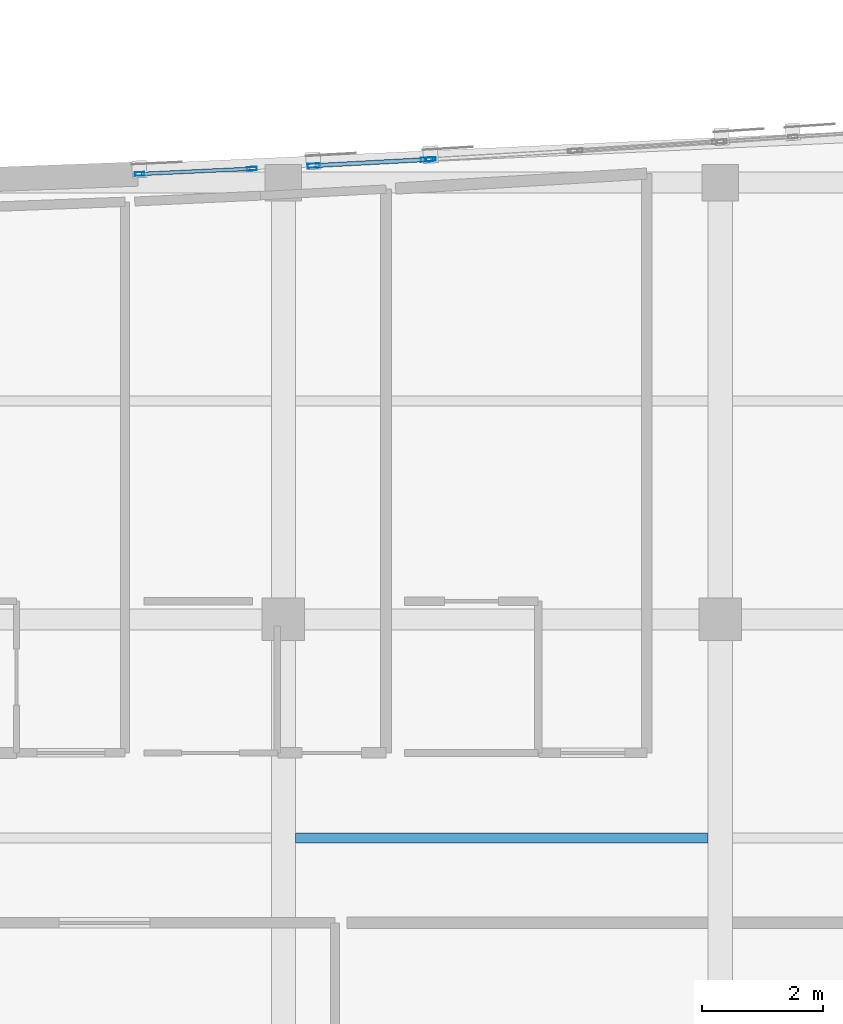
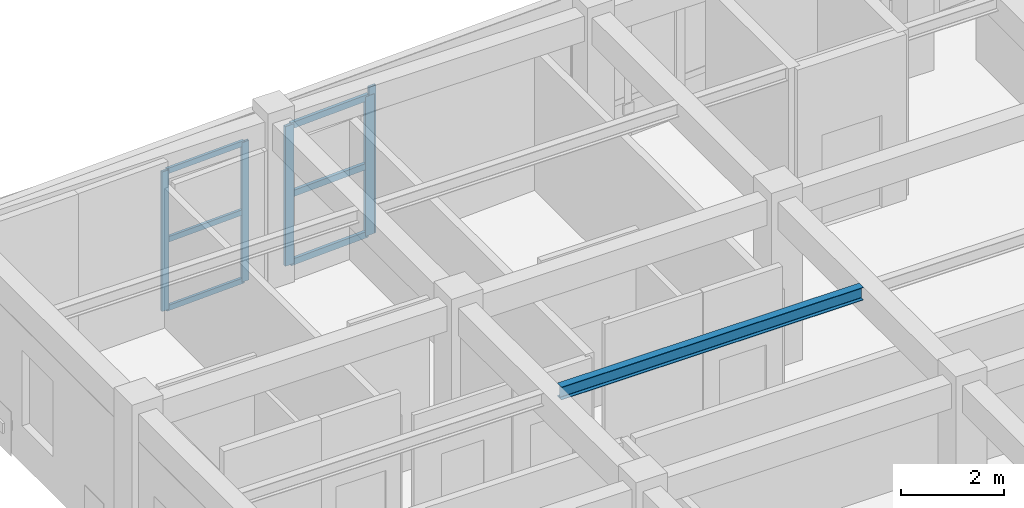
# One storey, part 34 of 113: 11 members, 1 beam, 3 elements without a shape of their own.
"""IFC4 building model written with IfcOpenShell, lengths in metres."""

from ifc_helpers import new_model, si_unit, direction, frame, origin, origin_2d, place, context, subcontext, project, spatial, hollow_rectangle, i_section, extrude, material, layer, layer_set, material_profile, profile_set, type_object, element, aggregate, save


model = new_model("IFC4")

# Units and contexts
model_context = context("Model", 3, precision=1e-05, world=origin(), true_north=direction((0.0, 1.0)))
body_context = subcontext(model_context, "Body", "Model", "MODEL_VIEW")
ifc_project = project(units=[si_unit("LENGTHUNIT", "METRE"), si_unit("AREAUNIT", "SQUARE_METRE"), si_unit("VOLUMEUNIT", "CUBIC_METRE"), si_unit("PLANEANGLEUNIT", "RADIAN"), si_unit("MASSUNIT", "GRAM", prefix="KILO")], contexts=[model_context])

# Site, building, storey
site_placement = place(None, origin())
site = spatial("IfcSite", under=ifc_project, at=site_placement, CompositionType="ELEMENT")
building_placement = place(site_placement, origin())
building = spatial("IfcBuilding", under=site, at=building_placement, Name="Carrowvane Square Congress Hotel", CompositionType="ELEMENT")
storey_placement = place(building_placement, frame((0.0, 0.0, 15.0)))
storey = spatial("IfcBuildingStorey", under=building, at=storey_placement, Name="L03", CompositionType="ELEMENT", Elevation=15.0)

# Beam
ifc_material_1 = material(Name="Steel S355", Category="steel")
ifc_material_profile_1 = material_profile(ifc_material_1, i_section(OverallWidth=0.165771484375, OverallDepth=0.306640625, WebThickness=0.006591796875, FlangeThickness=0.01171875, FilletRadius=0.0087890625, at=origin_2d()), Name="UKB 305x165x46")
ifc_profile_set_1 = profile_set([ifc_material_profile_1], Name="Steel S355")
beam_type = type_object("IfcBeamType", Name="BM-ST-UKB305", PredefinedType="JOIST", material=ifc_profile_set_1)
beam_placement = place(storey_placement, frame((40.60009765625, 102.60009765625, 3.78662109375), z_axis=(1.0, 0.0, 0.0), x_axis=(0.0, 1.0, 0.0)))
element("IfcBeam", 1, at=beam_placement, inside=storey, type_object=beam_type, Name="L04 secondary joist 5-6", PredefinedType="JOIST", context=body_context, shape_type="SweptSolid", body=[
    extrude(i_section(OverallWidth=0.165771484375, OverallDepth=0.306640625, WebThickness=0.006591796875, FlangeThickness=0.01171875, FilletRadius=0.0087890625, at=origin_2d()), origin(), (0.0, 0.0, 1.0), 6.7998046875),
])

# Curtain wall, members
ifc_material_2 = material(Name="Anodised aluminium", Category="aluminium")
ifc_layer_1 = layer(ifc_material_2, 0.162109375)
ifc_layer_set_1 = layer_set([ifc_layer_1], Name="Anodised aluminium")
curtain_wall_type_1 = type_object("IfcCurtainWallType", Name="CW-SYS-1", PredefinedType="NOTDEFINED", material=ifc_layer_set_1)
curtain_wall_1_placement = place(storey_placement, origin())
curtain_wall_1 = element("IfcCurtainWall", 2, at=curtain_wall_1_placement, inside=storey, type_object=curtain_wall_type_1, Name="L03 unitised curtain wall 192", PredefinedType="NOTDEFINED")
ifc_material_3 = material(Name="Anodised aluminium", Category="aluminium")
ifc_material_profile_2 = material_profile(ifc_material_3, hollow_rectangle(XDim=0.06005859375, YDim=0.159912109375, WallThickness=0.00390625, at=origin_2d()), Name="CW-ML 60x160x4")
ifc_profile_set_2 = profile_set([ifc_material_profile_2], Name="Anodised aluminium")
member_type_1 = type_object("IfcMemberType", Name="CW-MUL-1", PredefinedType="MULLION", material=ifc_profile_set_2)
member_1_placement = place(storey_placement, frame((38.030029296875, 113.54248046875, 0.0), z_axis=(0.0, 0.0, 1.0), x_axis=(-0.046522035775, 0.998917263935, 0.0)))
member_1 = element("IfcMember", 3, at=member_1_placement, type_object=member_type_1, Name="CW-1 mullion 1", PredefinedType="MULLION", context=body_context, shape_type="SweptSolid", body=[
    extrude(hollow_rectangle(XDim=0.06005859375, YDim=0.159912109375, WallThickness=0.00390625, at=origin_2d()), origin(), (0.0, 0.0, 1.0), 3.324951171875),
])
member_2_placement = place(storey_placement, frame((39.88134765625, 113.628662109375, 0.0), z_axis=(0.0, 0.0, 1.0), x_axis=(-0.046522035775, 0.998917263935, 0.0)))
member_2 = element("IfcMember", 4, at=member_2_placement, type_object=member_type_1, Name="CW-1 mullion 2", PredefinedType="MULLION", context=body_context, shape_type="SweptSolid", body=[
    extrude(hollow_rectangle(XDim=0.06005859375, YDim=0.159912109375, WallThickness=0.00390625, at=origin_2d()), origin(), (0.0, 0.0, 1.0), 3.324951171875),
])

# Curtain wall, member
ifc_material_4 = material(Name="Anodised aluminium", Category="aluminium")
ifc_layer_2 = layer(ifc_material_4, 0.18603515625)
ifc_layer_set_2 = layer_set([ifc_layer_2], Name="Anodised aluminium")
curtain_wall_type_2 = type_object("IfcCurtainWallType", Name="CW-SYS-3", PredefinedType="NOTDEFINED", material=ifc_layer_set_2)
curtain_wall_2_placement = place(storey_placement, origin())
curtain_wall_2 = element("IfcCurtainWall", 5, at=curtain_wall_2_placement, inside=storey, type_object=curtain_wall_type_2, Name="L03 unitised curtain wall 194", PredefinedType="NOTDEFINED")
member_3_placement = place(storey_placement, frame((42.829833984375, 113.783203125, 0.0), z_axis=(0.0, 0.0, 1.0), x_axis=(-0.058988522254, 0.99825866099, 0.0)))
member_3 = element("IfcMember", 6, at=member_3_placement, type_object=member_type_1, Name="CW-3 mullion 1", PredefinedType="MULLION", context=body_context, shape_type="SweptSolid", body=[
    extrude(hollow_rectangle(XDim=0.06005859375, YDim=0.159912109375, WallThickness=0.00390625, at=origin_2d()), origin(), (0.0, 0.0, 1.0), 3.515625),
])
aggregate(curtain_wall_2, [member_3])

# Curtain wall, members
ifc_material_5 = material(Name="Anodised aluminium", Category="aluminium")
ifc_layer_3 = layer(ifc_material_5, 0.174072265625)
ifc_layer_set_3 = layer_set([ifc_layer_3], Name="Anodised aluminium")
curtain_wall_type_3 = type_object("IfcCurtainWallType", Name="CW-SYS-2", PredefinedType="NOTDEFINED", material=ifc_layer_set_3)
curtain_wall_3_placement = place(storey_placement, origin())
curtain_wall_3 = element("IfcCurtainWall", 7, at=curtain_wall_3_placement, inside=storey, type_object=curtain_wall_type_3, Name="L03 unitised curtain wall 193", PredefinedType="NOTDEFINED")
ifc_material_6 = material(Name="Anodised aluminium", Category="aluminium")
ifc_material_profile_3 = material_profile(ifc_material_6, hollow_rectangle(XDim=0.070068359375, YDim=0.199951171875, WallThickness=0.0048828125, at=origin_2d()), Name="CW-ML 70x200x5")
ifc_profile_set_3 = profile_set([ifc_material_profile_3], Name="Anodised aluminium")
member_type_2 = type_object("IfcMemberType", Name="CW-MUL-2", PredefinedType="MULLION", material=ifc_profile_set_3)
member_4_placement = place(storey_placement, frame((40.898193359375, 113.679443359375, 0.0), z_axis=(0.0, 0.0, 1.0), x_axis=(-0.053513817306, 0.998567109091, 0.0)))
member_4 = element("IfcMember", 8, at=member_4_placement, type_object=member_type_2, Name="CW-2 mullion 1", PredefinedType="MULLION", context=body_context, shape_type="SweptSolid", body=[
    extrude(hollow_rectangle(XDim=0.070068359375, YDim=0.199951171875, WallThickness=0.0048828125, at=origin_2d()), origin(), (0.0, 0.0, 1.0), 3.324951171875),
])
member_5_placement = place(storey_placement, frame((42.764892578125, 113.779541015625, 0.0), z_axis=(0.0, 0.0, 1.0), x_axis=(-0.053513817306, 0.998567109091, 0.0)))
member_5 = element("IfcMember", 9, at=member_5_placement, type_object=member_type_2, Name="CW-2 mullion 2", PredefinedType="MULLION", context=body_context, shape_type="SweptSolid", body=[
    extrude(hollow_rectangle(XDim=0.070068359375, YDim=0.199951171875, WallThickness=0.0048828125, at=origin_2d()), origin(), (0.0, 0.0, 1.0), 3.324951171875),
])

# Member
ifc_material_7 = material(Name="Anodised aluminium", Category="aluminium")
ifc_material_profile_4 = material_profile(ifc_material_7, hollow_rectangle(XDim=0.06005859375, YDim=0.1298828125, WallThickness=0.00390625, at=origin_2d()), Name="CW-TR 60x130x4")
ifc_profile_set_4 = profile_set([ifc_material_profile_4], Name="Anodised aluminium")
member_type_3 = type_object("IfcMemberType", Name="CW-TRN-1", PredefinedType="USERDEFINED", material=ifc_profile_set_4)
member_6_placement = place(storey_placement, frame((38.059814453125, 113.543701171875, 0.030029296875), z_axis=(0.998915968728, 0.04654983803, 0.0), x_axis=(-0.04654983803, 0.998915968728, 0.0)))
member_6 = element("IfcMember", 10, at=member_6_placement, type_object=member_type_3, Name="CW-1 transom 1.1", ObjectType="TRANSOM", PredefinedType="USERDEFINED", context=body_context, shape_type="SweptSolid", body=[
    extrude(hollow_rectangle(XDim=0.06005859375, YDim=0.1298828125, WallThickness=0.00390625, at=origin_2d()), origin(), (0.0, 0.0, 1.0), 1.793701171875),
])

member_7_placement = place(storey_placement, frame((38.059814453125, 113.543701171875, 1.66259765625), z_axis=(0.998915968728, 0.04654983803, 0.0), x_axis=(-0.04654983803, 0.998915968728, 0.0)))
member_7 = element("IfcMember", 11, at=member_7_placement, type_object=member_type_3, Name="CW-1 transom 1.2", ObjectType="TRANSOM", PredefinedType="USERDEFINED", context=body_context, shape_type="SweptSolid", body=[
    extrude(hollow_rectangle(XDim=0.06005859375, YDim=0.1298828125, WallThickness=0.00390625, at=origin_2d()), origin(), (0.0, 0.0, 1.0), 1.793701171875),
])

member_8_placement = place(storey_placement, frame((38.059814453125, 113.543701171875, 3.294921875), z_axis=(0.998915968728, 0.04654983803, 0.0), x_axis=(-0.04654983803, 0.998915968728, 0.0)))
member_8 = element("IfcMember", 12, at=member_8_placement, type_object=member_type_3, Name="CW-1 transom 1.3", ObjectType="TRANSOM", PredefinedType="USERDEFINED", context=body_context, shape_type="SweptSolid", body=[
    extrude(hollow_rectangle(XDim=0.06005859375, YDim=0.1298828125, WallThickness=0.00390625, at=origin_2d()), origin(), (0.0, 0.0, 1.0), 1.793701171875),
])

aggregate(curtain_wall_1, [member_1, member_2, member_6, member_7, member_8])

ifc_material_8 = material(Name="Anodised aluminium", Category="aluminium")
ifc_material_profile_5 = material_profile(ifc_material_8, hollow_rectangle(XDim=0.070068359375, YDim=0.14990234375, WallThickness=0.0048828125, at=origin_2d()), Name="CW-TR 70x150x5")
ifc_profile_set_5 = profile_set([ifc_material_profile_5], Name="Anodised aluminium")
member_type_4 = type_object("IfcMemberType", Name="CW-TRN-2", PredefinedType="USERDEFINED", material=ifc_profile_set_5)
member_9_placement = place(storey_placement, frame((40.93310546875, 113.681396484375, 0.034912109375), z_axis=(0.998570202242, 0.053456067892, 0.0), x_axis=(-0.053456067892, 0.998570202242, 0.0)))
member_9 = element("IfcMember", 13, at=member_9_placement, type_object=member_type_4, Name="CW-2 transom 1.1", ObjectType="TRANSOM", PredefinedType="USERDEFINED", context=body_context, shape_type="SweptSolid", body=[
    extrude(hollow_rectangle(XDim=0.070068359375, YDim=0.14990234375, WallThickness=0.0048828125, at=origin_2d()), origin(), (0.0, 0.0, 1.0), 1.799560546875),
])

member_10_placement = place(storey_placement, frame((40.93310546875, 113.681396484375, 1.66259765625), z_axis=(0.998570202242, 0.053456067892, 0.0), x_axis=(-0.053456067892, 0.998570202242, 0.0)))
member_10 = element("IfcMember", 14, at=member_10_placement, type_object=member_type_4, Name="CW-2 transom 1.2", ObjectType="TRANSOM", PredefinedType="USERDEFINED", context=body_context, shape_type="SweptSolid", body=[
    extrude(hollow_rectangle(XDim=0.070068359375, YDim=0.14990234375, WallThickness=0.0048828125, at=origin_2d()), origin(), (0.0, 0.0, 1.0), 1.799560546875),
])

member_11_placement = place(storey_placement, frame((40.93310546875, 113.681396484375, 3.2900390625), z_axis=(0.998570202242, 0.053456067892, 0.0), x_axis=(-0.053456067892, 0.998570202242, 0.0)))
member_11 = element("IfcMember", 15, at=member_11_placement, type_object=member_type_4, Name="CW-2 transom 1.3", ObjectType="TRANSOM", PredefinedType="USERDEFINED", context=body_context, shape_type="SweptSolid", body=[
    extrude(hollow_rectangle(XDim=0.070068359375, YDim=0.14990234375, WallThickness=0.0048828125, at=origin_2d()), origin(), (0.0, 0.0, 1.0), 1.799560546875),
])

aggregate(curtain_wall_3, [member_4, member_5, member_9, member_10, member_11])

save(model, "model.ifc")
